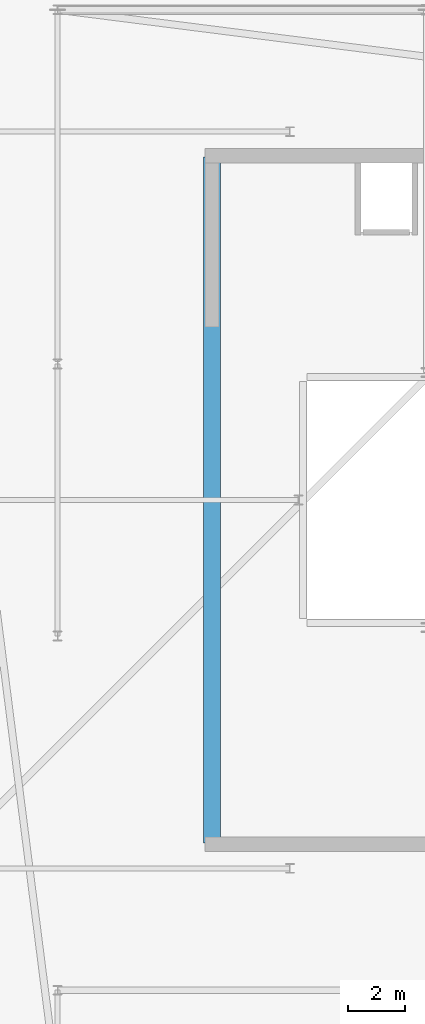
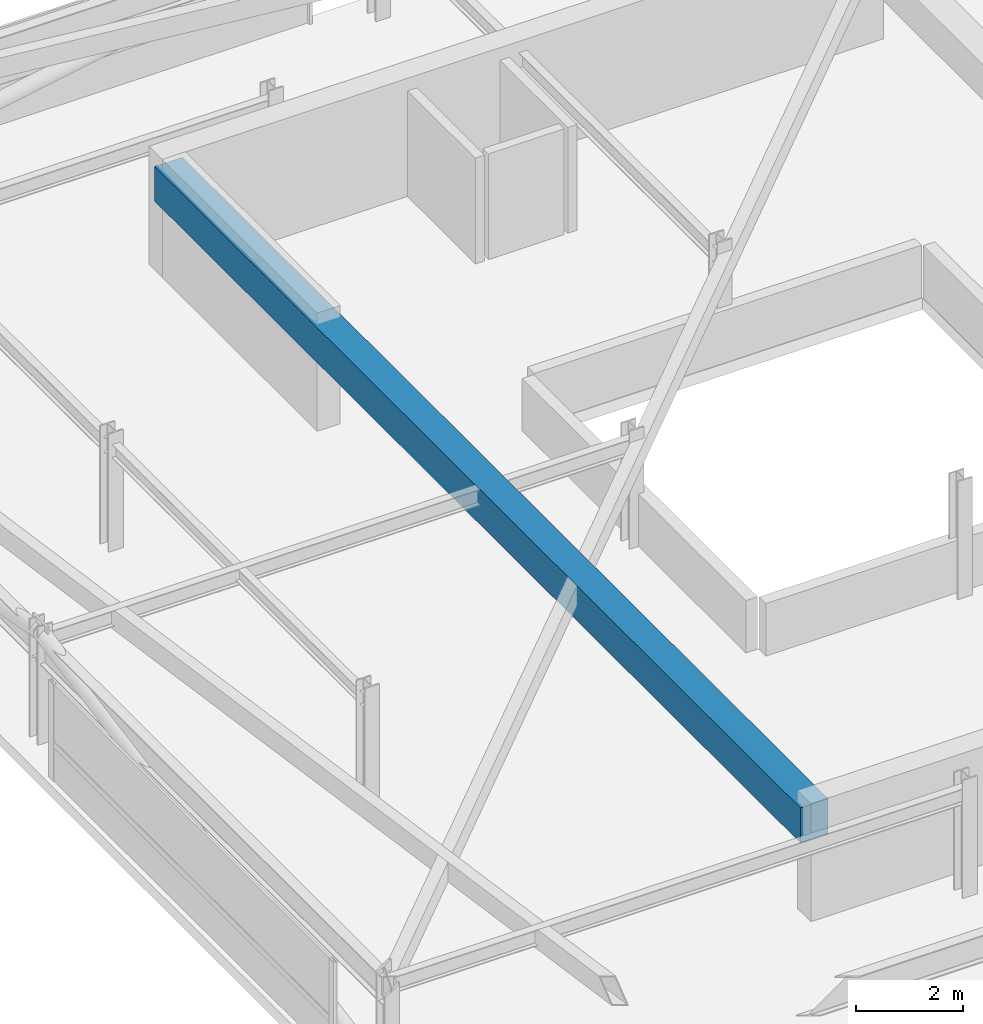
# One storey, part 13 of 42: 1 beam.
"""IFC4 building model written with IfcOpenShell, lengths in metres."""

from ifc_helpers import new_model, si_unit, direction, frame, origin, origin_2d, place, context, subcontext, project, spatial, rectangle, extrude, material, material_profile, profile_set, type_object, element, save


model = new_model("IFC4")

# Units and contexts
model_context = context("Model", 3, precision=1e-05, world=origin(), true_north=direction((0.0, 1.0)))
body_context = subcontext(model_context, "Body", "Model", "MODEL_VIEW")
ifc_project = project(units=[si_unit("LENGTHUNIT", "METRE"), si_unit("AREAUNIT", "SQUARE_METRE"), si_unit("VOLUMEUNIT", "CUBIC_METRE"), si_unit("PLANEANGLEUNIT", "RADIAN"), si_unit("MASSUNIT", "GRAM", prefix="KILO")], contexts=[model_context])

# Site, building, storey
site_placement = place(None, origin())
site = spatial("IfcSite", under=ifc_project, at=site_placement, CompositionType="ELEMENT")
building_placement = place(site_placement, origin())
building = spatial("IfcBuilding", under=site, at=building_placement, Name="Thornwick Lancets Civic Towers", CompositionType="ELEMENT")
storey_placement = place(building_placement, frame((0.0, 0.0, 284.10009765625)))
storey = spatial("IfcBuildingStorey", under=building, at=storey_placement, Name="C02", CompositionType="ELEMENT", Elevation=284.10009765625)

# Beam
ifc_material = material(Name="Concrete C60/75", Category="concrete")
ifc_material_profile = material_profile(ifc_material, rectangle(XDim=0.60009765625, YDim=0.800048828125, at=origin_2d()), Name="RC 600x800")
ifc_profile_set = profile_set([ifc_material_profile], Name="Concrete C60/75")
beam_type = type_object("IfcBeamType", Name="BM_COUP_RC800", PredefinedType="BEAM", material=ifc_profile_set)
beam_placement = place(storey_placement, frame((17.949951171875, 14.89990234375, 2.039794921875), z_axis=(0.0, 1.0, 0.0), x_axis=(-1.0, 0.0, 0.0)))
element("IfcBeam", 1, at=beam_placement, inside=storey, type_object=beam_type, Name="CB-C02-A2", PredefinedType="BEAM", context=body_context, shape_type="SweptSolid", body=[
    extrude(rectangle(XDim=0.60009765625, YDim=0.800048828125, at=origin_2d()), origin(), (0.0, 0.0, 1.0), 24.2001953125),
])

save(model, "model.ifc")
